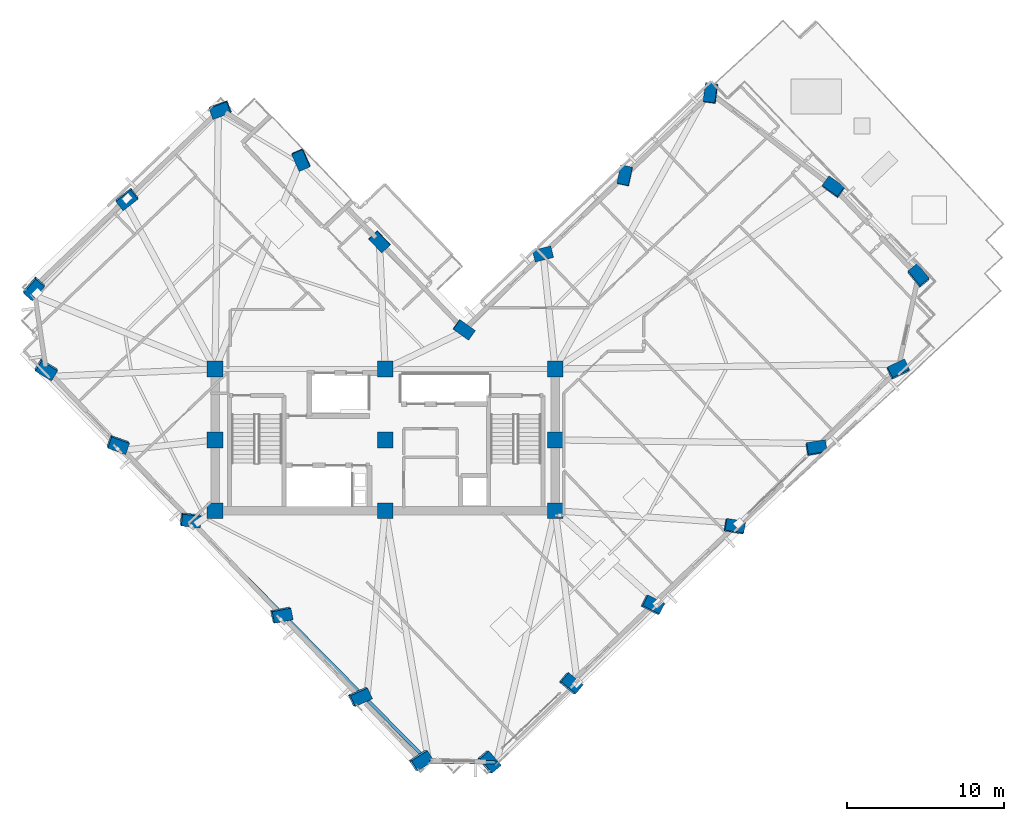
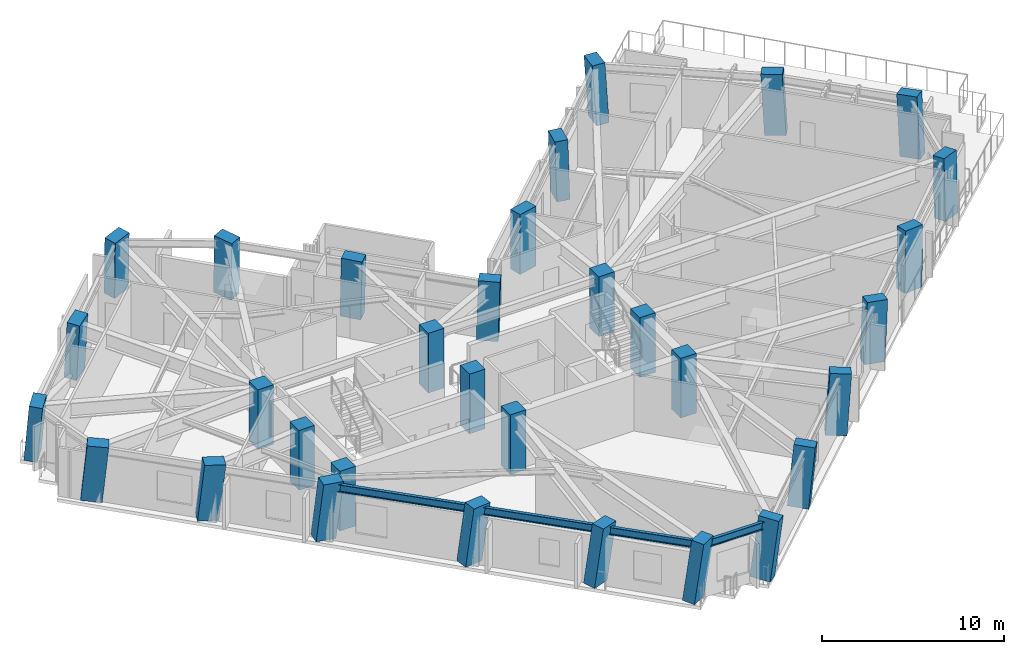
# One storey, part 1 of 17: 32 columns, 4 beams.
"""IFC4 building model written with IfcOpenShell, lengths in metres."""

from ifc_helpers import new_model, si_unit, direction, frame, origin, origin_2d, place, context, subcontext, project, spatial, rectangle, i_section, extrude, material, material_profile, profile_set, type_object, element, save


model = new_model("IFC4")

# Units and contexts
model_context = context("Model", 3, precision=1e-05, world=origin(), true_north=direction((0.0, 1.0)))
body_context = subcontext(model_context, "Body", "Model", "MODEL_VIEW")
ifc_project = project(units=[si_unit("LENGTHUNIT", "METRE"), si_unit("AREAUNIT", "SQUARE_METRE"), si_unit("VOLUMEUNIT", "CUBIC_METRE"), si_unit("PLANEANGLEUNIT", "RADIAN"), si_unit("MASSUNIT", "GRAM", prefix="KILO")], contexts=[model_context])

# Site, building, storey
site_placement = place(None, origin())
site = spatial("IfcSite", under=ifc_project, at=site_placement, CompositionType="ELEMENT")
building_placement = place(site_placement, origin())
building = spatial("IfcBuilding", under=site, at=building_placement, Name="Gaonmaruhae Medical Tower", CompositionType="ELEMENT")
storey_placement = place(building_placement, frame((0.0, 0.0, 211.199951171875)))
storey = spatial("IfcBuildingStorey", under=building, at=storey_placement, Name="L50", CompositionType="ELEMENT", Elevation=211.199951171875)

# Columns
ifc_material_1 = material(Name="Concrete C50/60", Category="concrete")
ifc_material_profile_1 = material_profile(ifc_material_1, rectangle(XDim=1.0, YDim=1.0, at=origin_2d()), Name="RC-1000x1000")
ifc_profile_set_1 = profile_set([ifc_material_profile_1], Name="Concrete C50/60")
column_type_1 = type_object("IfcColumnType", Name="CC-05 Zone 4 Core Column (RC-1000x1000)", PredefinedType="COLUMN", material=ifc_profile_set_1)
for number, where, z_axis, x_axis, name in (
    (1, (14.0, 7.800048828125, 0.0), (0.0, 0.0, 1.0), (1.0, 0.0, 0.0), "L50 Plumb Core Column CC11"),
    (2, (14.0, 12.300048828125, 0.0), (0.0, 0.0, 1.0), (1.0, 0.0, 0.0), "L50 Plumb Core Column CC12"),
    (3, (14.0, 16.800048828125, 0.0), (0.0, 0.0, 1.0), (1.0, 0.0, 0.0), "L50 Plumb Core Column CC13"),
    (4, (24.800048828125, 7.800048828125, 0.0), (0.0, 0.0, 1.0), (1.0, 0.0, 0.0), "L50 Plumb Core Column CC21"),
    (5, (24.800048828125, 12.300048828125, 0.0), (0.0, 0.0, 1.0), (1.0, 0.0, 0.0), "L50 Plumb Core Column CC22"),
    (6, (24.800048828125, 16.800048828125, 0.0), (0.0, 0.0, 1.0), (1.0, 0.0, 0.0), "L50 Plumb Core Column CC23"),
    (7, (35.60009765625, 7.800048828125, 0.0), (0.0, 0.0, 1.0), (1.0, 0.0, 0.0), "L50 Plumb Core Column CC31"),
    (8, (35.60009765625, 12.300048828125, 0.0), (0.0, 0.0, 1.0), (1.0, 0.0, 0.0), "L50 Plumb Core Column CC32"),
    (9, (35.60009765625, 16.800048828125, 0.0), (0.0, 0.0, 1.0), (1.0, 0.0, 0.0), "L50 Plumb Core Column CC33"),
):
    element("IfcColumn", number, at=place(storey_placement, frame(where, z_axis=z_axis, x_axis=x_axis)), inside=storey, type_object=column_type_1, Name=name, PredefinedType="COLUMN", context=body_context, shape_type="SweptSolid", body=[
        extrude(rectangle(XDim=1.0, YDim=1.0, at=origin_2d()), origin(), (0.0, 0.0, 1.0), 4.0),
    ])
ifc_material_profile_2 = material_profile(ifc_material_1, rectangle(XDim=1.199951171875, YDim=0.75, at=origin_2d()), Name="RC-1200x750")
ifc_profile_set_2 = profile_set([ifc_material_profile_2], Name="Concrete C50/60")
column_type_2 = type_object("IfcColumnType", Name="TC-03 Upper Raking Tube Pier Column (RC-1200x750)", PredefinedType="COLUMN", material=ifc_profile_set_2)
column_1_placement = place(storey_placement, frame((31.3447265625, -8.144287109375, 0.095458984375), z_axis=(0.135357592355, -0.008180953384, 0.990763036348), x_axis=(-0.639637724553, 0.762945843084, 0.093686828582)))
element("IfcColumn", 10, at=column_1_placement, inside=storey, type_object=column_type_2, Name="L50 Perimeter Tube Column S01", PredefinedType="COLUMN", context=body_context, shape_type="SweptSolid", body=[
    extrude(rectangle(XDim=1.199951171875, YDim=0.75, at=origin_2d()), origin(), (0.0, 0.0, 1.0), 3.939208984375),
])
column_2_placement = place(storey_placement, frame((36.546630859375, -3.168212890625, 0.08203125), z_axis=(0.115049115821, 0.013065319396, 0.993273878836), x_axis=(-0.763430709005, 0.640916642447, 0.079996312311)))
element("IfcColumn", 11, at=column_2_placement, inside=storey, type_object=column_type_2, Name="L50 Perimeter Tube Column S02", PredefinedType="COLUMN", context=body_context, shape_type="SweptSolid", body=[
    extrude(rectangle(XDim=1.199951171875, YDim=0.75, at=origin_2d()), origin(), (0.0, 0.0, 1.0), 3.94287109375),
])
column_3_placement = place(storey_placement, frame((41.749267578125, 1.8076171875, 0.071533203125), z_axis=(0.094519466508, 0.034393209017, 0.994928729922), x_axis=(-0.893156453622, 0.444345139292, 0.069490621965)))
element("IfcColumn", 12, at=column_3_placement, inside=storey, type_object=column_type_2, Name="L50 Perimeter Tube Column S03", PredefinedType="COLUMN", context=body_context, shape_type="SweptSolid", body=[
    extrude(rectangle(XDim=1.199951171875, YDim=0.75, at=origin_2d()), origin(), (0.0, 0.0, 1.0), 3.94677734375),
])
column_4_placement = place(storey_placement, frame((46.95263671875, 6.783203125, 0.06591796875), z_axis=(0.073934620991, 0.055698238723, 0.995706471819), x_axis=(-0.984464854778, 0.163520603796, 0.06395280948)))
element("IfcColumn", 13, at=column_4_placement, inside=storey, type_object=column_type_2, Name="L50 Perimeter Tube Column S04", PredefinedType="COLUMN", context=body_context, shape_type="SweptSolid", body=[
    extrude(rectangle(XDim=1.199951171875, YDim=0.75, at=origin_2d()), origin(), (0.0, 0.0, 1.0), 3.94921875),
])
column_5_placement = place(storey_placement, frame((52.15673828125, 11.759033203125, 0.066650390625), z_axis=(0.05323008736, 0.077032158944, 0.995606651388), x_axis=(-0.98581194201, -0.154886974175, 0.064690341027)))
element("IfcColumn", 14, at=column_5_placement, inside=storey, type_object=column_type_2, Name="L50 Perimeter Tube Column S05", PredefinedType="COLUMN", context=body_context, shape_type="SweptSolid", body=[
    extrude(rectangle(XDim=1.199951171875, YDim=0.75, at=origin_2d()), origin(), (0.0, 0.0, 1.0), 3.948974609375),
])
column_6_placement = place(storey_placement, frame((57.36083984375, 16.7353515625, 0.073486328125), z_axis=(0.032482055305, 0.098250483475, 0.994631468726), x_axis=(-0.902127024393, -0.425506275001, 0.071492949273)))
element("IfcColumn", 15, at=column_6_placement, inside=storey, type_object=column_type_2, Name="L50 Perimeter Tube Column S06", PredefinedType="COLUMN", context=body_context, shape_type="SweptSolid", body=[
    extrude(rectangle(XDim=1.199951171875, YDim=0.75, at=origin_2d()), origin(), (0.0, 0.0, 1.0), 3.946044921875),
])
column_7_placement = place(storey_placement, frame((58.6611328125, 22.68310546875, 0.074462890625), z_axis=(0.007921264253, 0.103347744549, 0.994613742751), x_axis=(0.633908539185, -0.769769143243, 0.074936173233)))
element("IfcColumn", 16, at=column_7_placement, inside=storey, type_object=column_type_2, Name="L50 Perimeter Tube Column E01", PredefinedType="COLUMN", context=body_context, shape_type="SweptSolid", body=[
    extrude(rectangle(XDim=1.199951171875, YDim=0.75, at=origin_2d()), origin(), (0.0, 0.0, 1.0), 3.945068359375),
])
column_8_placement = place(storey_placement, frame((53.270751953125, 28.3193359375, 0.059814453125), z_axis=(-0.015197179354, 0.081113400375, 0.996589013596), x_axis=(0.811749063081, -0.580950790477, 0.059662698823)))
element("IfcColumn", 17, at=column_8_placement, inside=storey, type_object=column_type_2, Name="L50 Perimeter Tube Column E02", PredefinedType="COLUMN", context=body_context, shape_type="SweptSolid", body=[
    extrude(rectangle(XDim=1.199951171875, YDim=0.75, at=origin_2d()), origin(), (0.0, 0.0, 1.0), 3.951904296875),
])
column_9_placement = place(storey_placement, frame((45.48388671875, 34.293212890625, 0.045654296875), z_axis=(-0.039698810697, 0.048822139863, 0.998018237854), x_axis=(-0.12592619719, -0.991086577439, 0.043474002368)))
element("IfcColumn", 18, at=column_9_placement, inside=storey, type_object=column_type_2, Name="L50 Perimeter Tube Column E03", PredefinedType="COLUMN", context=body_context, shape_type="SweptSolid", body=[
    extrude(rectangle(XDim=1.199951171875, YDim=0.75, at=origin_2d()), origin(), (0.0, 0.0, 1.0), 3.96044921875),
])
column_10_placement = place(storey_placement, frame((40.02685546875, 29.075439453125, 0.0244140625), z_axis=(-0.017930255062, 0.026465547712, 0.999488909762), x_axis=(-0.211225801322, -0.977187740345, 0.022085764091)))
element("IfcColumn", 19, at=column_10_placement, inside=storey, type_object=column_type_2, Name="L50 Perimeter Tube Column EN01", PredefinedType="COLUMN", context=body_context, shape_type="SweptSolid", body=[
    extrude(rectangle(XDim=1.199951171875, YDim=0.75, at=origin_2d()), origin(), (0.0, 0.0, 1.0), 3.975830078125),
])
column_11_placement = place(storey_placement, frame((34.82177734375, 24.100341796875, 0.006591796875), z_axis=(0.002874568821, 0.005076366216, 0.999982983535), x_axis=(-0.969530948602, -0.244935696243, 0.004030435313)))
element("IfcColumn", 20, at=column_11_placement, inside=storey, type_object=column_type_2, Name="L50 Perimeter Tube Column EN02", PredefinedType="COLUMN", context=body_context, shape_type="SweptSolid", body=[
    extrude(rectangle(XDim=1.199951171875, YDim=0.75, at=origin_2d()), origin(), (0.0, 0.0, 1.0), 3.99169921875),
])
column_12_placement = place(storey_placement, frame((29.797607421875, 19.29833984375, 0.019287109375), z_axis=(0.022938777207, -0.015578741739, 0.999615483727), x_axis=(-0.813978214162, 0.580233554641, 0.027721633021)))
element("IfcColumn", 21, at=column_12_placement, inside=storey, type_object=column_type_2, Name="L50 Perimeter Tube Column KN01", PredefinedType="COLUMN", context=body_context, shape_type="SweptSolid", body=[
    extrude(rectangle(XDim=1.199951171875, YDim=0.75, at=origin_2d()), origin(), (0.0, 0.0, 1.0), 3.98046875),
])
column_13_placement = place(storey_placement, frame((24.44287109375, 24.900634765625, 0.02880859375), z_axis=(-0.000122920319, -0.037920918504, 0.999280735745), x_axis=(-0.688536987797, 0.724682823454, 0.027415722252)))
element("IfcColumn", 22, at=column_13_placement, inside=storey, type_object=column_type_2, Name="L50 Perimeter Tube Column NE01", PredefinedType="COLUMN", context=body_context, shape_type="SweptSolid", body=[
    extrude(rectangle(XDim=1.199951171875, YDim=0.75, at=origin_2d()), origin(), (0.0, 0.0, 1.0), 3.972412109375),
])
column_14_placement = place(storey_placement, frame((19.467529296875, 30.1044921875, 0.0458984375), z_axis=(-0.021454067114, -0.058690436473, 0.998045668129), x_axis=(-0.401158864072, 0.914893751158, 0.045177315857)))
element("IfcColumn", 23, at=column_14_placement, inside=storey, type_object=column_type_2, Name="L50 Perimeter Tube Column NE02", PredefinedType="COLUMN", context=body_context, shape_type="SweptSolid", body=[
    extrude(rectangle(XDim=1.199951171875, YDim=0.75, at=origin_2d()), origin(), (0.0, 0.0, 1.0), 3.960205078125),
])
column_15_placement = place(storey_placement, frame((14.34033203125, 33.295166015625, 0.062255859375), z_axis=(-0.034418249227, -0.079835508082, 0.996213669736), x_axis=(0.936377576319, 0.345816868497, 0.060064365718)))
element("IfcColumn", 24, at=column_15_placement, inside=storey, type_object=column_type_2, Name="L50 Perimeter Tube Column N01", PredefinedType="COLUMN", context=body_context, shape_type="SweptSolid", body=[
    extrude(rectangle(XDim=1.199951171875, YDim=0.75, at=origin_2d()), origin(), (0.0, 0.0, 1.0), 3.950927734375),
])
column_16_placement = place(storey_placement, frame((8.413330078125, 27.627197265625, 0.07421875), z_axis=(-0.010828197195, -0.10395069307, 0.994523505783), x_axis=(0.790264048258, 0.608497317732, 0.072206290191)))
element("IfcColumn", 25, at=column_16_placement, inside=storey, type_object=column_type_2, Name="L50 Perimeter Tube Column N02", PredefinedType="COLUMN", context=body_context, shape_type="SweptSolid", body=[
    extrude(rectangle(XDim=1.199951171875, YDim=0.75, at=origin_2d()), origin(), (0.0, 0.0, 1.0), 3.94580078125),
])
column_17_placement = place(storey_placement, frame((2.487060546875, 21.9580078125, 0.090576171875), z_axis=(0.012639647301, -0.127821531287, 0.991716640707), x_axis=(0.652034928504, 0.752977822647, 0.088740355036)))
element("IfcColumn", 26, at=column_17_placement, inside=storey, type_object=column_type_2, Name="L50 Perimeter Tube Column N03", PredefinedType="COLUMN", context=body_context, shape_type="SweptSolid", body=[
    extrude(rectangle(XDim=1.199951171875, YDim=0.75, at=origin_2d()), origin(), (0.0, 0.0, 1.0), 3.9404296875),
])
column_18_placement = place(storey_placement, frame((3.25634765625, 16.812744140625, 0.091796875), z_axis=(0.033776019116, -0.124444488778, 0.991651526367), x_axis=(-0.854551559252, 0.510931381474, 0.093224224348)))
element("IfcColumn", 27, at=column_18_placement, inside=storey, type_object=column_type_2, Name="L50 Perimeter Tube Column W01", PredefinedType="COLUMN", context=body_context, shape_type="SweptSolid", body=[
    extrude(rectangle(XDim=1.199951171875, YDim=0.75, at=origin_2d()), origin(), (0.0, 0.0, 1.0), 3.939453125),
])
column_19_placement = place(storey_placement, frame((7.8173828125, 12.043701171875, 0.08447265625), z_axis=(0.05339263645, -0.105670345457, 0.992966769063), x_axis=(-0.940385366867, 0.329163998052, 0.085594533524)))
element("IfcColumn", 28, at=column_19_placement, inside=storey, type_object=column_type_2, Name="L50 Perimeter Tube Column W02", PredefinedType="COLUMN", context=body_context, shape_type="SweptSolid", body=[
    extrude(rectangle(XDim=1.199951171875, YDim=0.75, at=origin_2d()), origin(), (0.0, 0.0, 1.0), 3.941650390625),
])
column_20_placement = place(storey_placement, frame((12.413330078125, 7.238037109375, 0.0810546875), z_axis=(0.073007355521, -0.086692364486, 0.993556420129), x_axis=(-0.991154266902, 0.104398471659, 0.08194008981)))
element("IfcColumn", 29, at=column_20_placement, inside=storey, type_object=column_type_2, Name="L50 Perimeter Tube Column W03", PredefinedType="COLUMN", context=body_context, shape_type="SweptSolid", body=[
    extrude(rectangle(XDim=1.199951171875, YDim=0.75, at=origin_2d()), origin(), (0.0, 0.0, 1.0), 3.942626953125),
])
column_21_placement = place(storey_placement, frame((18.184326171875, 1.203125, 0.0830078125), z_axis=(0.097670284924, -0.062739377697, 0.99323928936), x_axis=(-0.977564758566, -0.193193261905, 0.083925600171)))
element("IfcColumn", 30, at=column_21_placement, inside=storey, type_object=column_type_2, Name="L50 Perimeter Tube Column W04", PredefinedType="COLUMN", context=body_context, shape_type="SweptSolid", body=[
    extrude(rectangle(XDim=1.199951171875, YDim=0.75, at=origin_2d()), origin(), (0.0, 0.0, 1.0), 3.94189453125),
])
column_22_placement = place(storey_placement, frame((23.161376953125, -4.0009765625, 0.08984375), z_axis=(0.118729995244, -0.041952091221, 0.992039923729), x_axis=(-0.90641023252, -0.412471138186, 0.091038731024)))
element("IfcColumn", 31, at=column_22_placement, inside=storey, type_object=column_type_2, Name="L50 Perimeter Tube Column W05", PredefinedType="COLUMN", context=body_context, shape_type="SweptSolid", body=[
    extrude(rectangle(XDim=1.199951171875, YDim=0.75, at=origin_2d()), origin(), (0.0, 0.0, 1.0), 3.939697265625),
])
column_23_placement = place(storey_placement, frame((27.03271484375, -8.04833984375, 0.097900390625), z_axis=(0.135095708724, -0.025853561514, 0.990495200817), x_axis=(-0.83319124577, -0.543970221955, 0.099442172132)))
element("IfcColumn", 32, at=column_23_placement, inside=storey, type_object=column_type_2, Name="L50 Perimeter Tube Column W06", PredefinedType="COLUMN", context=body_context, shape_type="SweptSolid", body=[
    extrude(rectangle(XDim=1.199951171875, YDim=0.75, at=origin_2d()), origin(), (0.0, 0.0, 1.0), 3.937744140625),
])

# Beams
ifc_material_2 = material(Name="Steel SM355", Category="steel")
ifc_material_profile_3 = material_profile(ifc_material_2, i_section(OverallWidth=0.199951171875, OverallDepth=0.5, WebThickness=0.010009765625, FlangeThickness=0.01611328125, FilletRadius=0.012939453125, at=origin_2d()), Name="H-500x200x10x16")
ifc_profile_set_3 = profile_set([ifc_material_profile_3], Name="Steel SM355")
beam_type = type_object("IfcBeamType", Name="SP-02 Upper Perimeter Spandrel Beam (H-500x200x10x16)", PredefinedType="SPANDREL", material=ifc_profile_set_3)
beam_1_placement = place(storey_placement, frame((12.7294921875, 6.86767578125, 3.530029296875), z_axis=(0.70276859753, -0.711418511374, 0.0), x_axis=(0.711418511374, 0.70276859753, 0.0)))
element("IfcBeam", 33, at=beam_1_placement, inside=storey, type_object=beam_type, Name="L50 Perimeter Spandrel Beam W03-W04", PredefinedType="SPANDREL", context=body_context, shape_type="SweptSolid", body=[
    extrude(i_section(OverallWidth=0.199951171875, OverallDepth=0.5, WebThickness=0.010009765625, FlangeThickness=0.01611328125, FilletRadius=0.012939453125, at=origin_2d()), origin(), (0.0, 0.0, 1.0), 8.269775390625),
])
beam_2_placement = place(storey_placement, frame((18.59765625, 0.92724609375, 3.530029296875), z_axis=(0.702773044581, -0.711414118366, 0.0), x_axis=(0.711414118366, 0.702773044581, 0.0)))
element("IfcBeam", 34, at=beam_2_placement, inside=storey, type_object=beam_type, Name="L50 Perimeter Spandrel Beam W04-W05", PredefinedType="SPANDREL", context=body_context, shape_type="SweptSolid", body=[
    extrude(i_section(OverallWidth=0.199951171875, OverallDepth=0.5, WebThickness=0.010009765625, FlangeThickness=0.01611328125, FilletRadius=0.012939453125, at=origin_2d()), origin(), (0.0, 0.0, 1.0), 7.119873046875),
])
beam_3_placement = place(storey_placement, frame((23.657470703125, -4.19482421875, 3.530029296875), z_axis=(0.702781411495, -0.711405852982, 0.0), x_axis=(0.711405852982, 0.702781411495, 0.0)))
element("IfcBeam", 35, at=beam_3_placement, inside=storey, type_object=beam_type, Name="L50 Perimeter Spandrel Beam W05-W06", PredefinedType="SPANDREL", context=body_context, shape_type="SweptSolid", body=[
    extrude(i_section(OverallWidth=0.199951171875, OverallDepth=0.5, WebThickness=0.010009765625, FlangeThickness=0.01611328125, FilletRadius=0.012939453125, at=origin_2d()), origin(), (0.0, 0.0, 1.0), 5.52001953125),
])
beam_4_placement = place(storey_placement, frame((27.60498046875, -8.150634765625, 3.530029296875), z_axis=(0.999981664677, -0.006055601522, 0.0), x_axis=(0.006055601522, 0.999981664677, 0.0)))
element("IfcBeam", 36, at=beam_4_placement, inside=storey, type_object=beam_type, Name="L50 Perimeter Spandrel Beam W06-S01", PredefinedType="SPANDREL", context=body_context, shape_type="SweptSolid", body=[
    extrude(i_section(OverallWidth=0.199951171875, OverallDepth=0.5, WebThickness=0.010009765625, FlangeThickness=0.01611328125, FilletRadius=0.012939453125, at=origin_2d()), origin(), (0.0, 0.0, 1.0), 4.233154296875),
])

save(model, "model.ifc")
